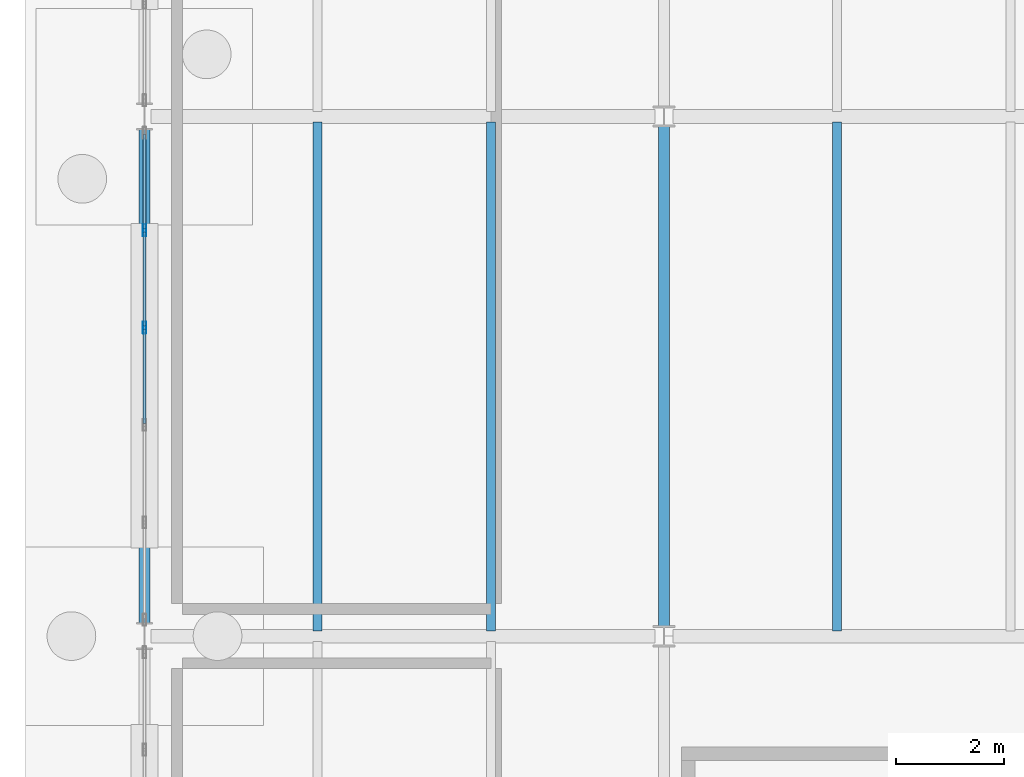
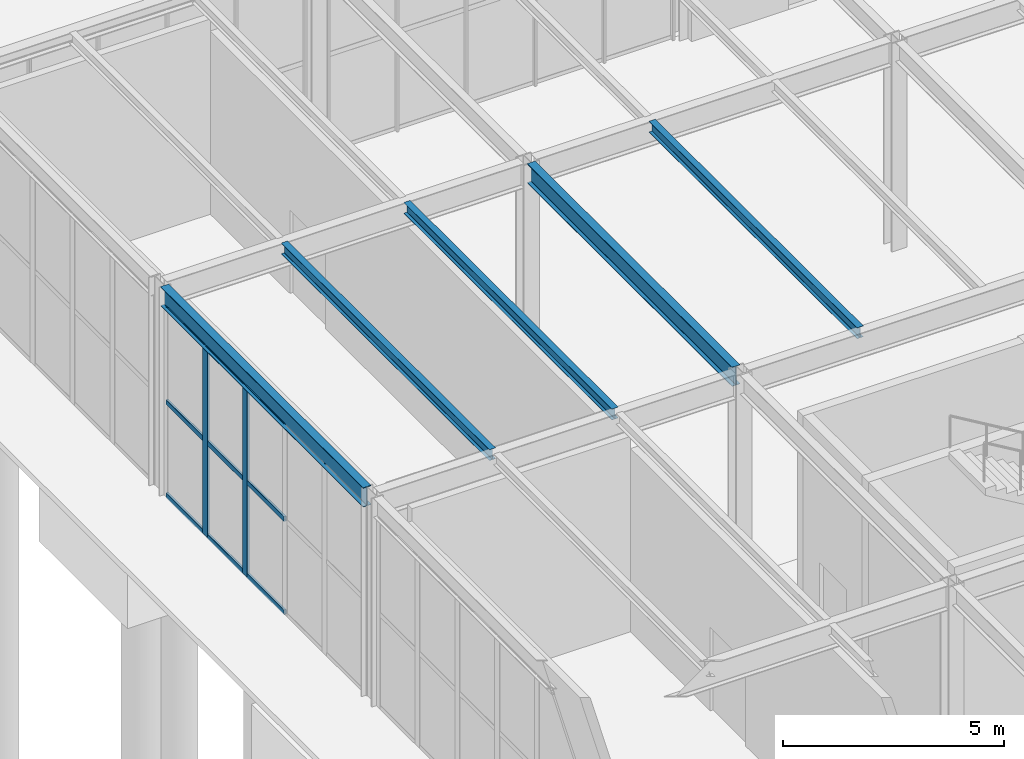
# One storey, part 48 of 142: 11 members, 5 beams, 1 element without a shape of its own.
"""IFC4 building model written with IfcOpenShell, lengths in metres."""

import ifcopenshell
import ifcopenshell.guid

model = None  # the IFC model being written
_history = None  # IfcOwnerHistory: only IFC2X3 demands one
_inside = {}  # id of a spatial element -> (the spatial element, [elements in it])
_under = {}  # id of a project, library or spatial element -> (it, [spatial elements below it])
_declared = {}  # id of a project -> (the project, [libraries it declares])
_typed = {}  # id of a type object -> (the type object, [elements of that type])
_made_of = {}  # id of a material, layer set ... -> (it, [elements and type objects made of it])


def new_model(schema):
    """Start an empty IFC model of exactly this schema.

    Asked for "IFC4X3", IfcOpenShell would pick the latest addendum, in which some entities
    have other attributes; the version numbers below select the first issue.
    IFC2X3 requires an IfcOwnerHistory on every rooted entity: one is made here for all.
    """
    global model, _history
    if schema == "IFC4X3":
        model = ifcopenshell.file(schema_version=(4, 3, 0, 0))
    else:
        model = ifcopenshell.file(schema=schema)
    _inside.clear()
    _under.clear()
    _declared.clear()
    _typed.clear()
    _made_of.clear()
    _history = None
    if model.schema == "IFC2X3":
        org = make("IfcOrganization", Name="unknown")
        user = make(
            "IfcPersonAndOrganization",
            ThePerson=make("IfcPerson", FamilyName="unknown"),
            TheOrganization=org,
        )
        app = make(
            "IfcApplication",
            ApplicationDeveloper=org,
            Version="unknown",
            ApplicationFullName="unknown",
            ApplicationIdentifier="unknown",
        )
        _history = make(
            "IfcOwnerHistory",
            OwningUser=user,
            OwningApplication=app,
            ChangeAction="ADDED",
            CreationDate=0,
        )
    return model


def make(cls, **values):
    """One entity of the class cls with the attributes given. An attribute that is None is left unset."""
    return model.create_entity(
        cls, **{name: value for name, value in values.items() if value is not None}
    )


def rooted(cls, **values):
    """An entity with a GlobalId (a new one), such as an element, a storey or a relation."""
    return make(cls, GlobalId=ifcopenshell.guid.new(), OwnerHistory=_history, **values)


def si_unit(unit_type, name, prefix=None):
    """IfcSIUnit, for example si_unit("LENGTHUNIT", "METRE", prefix="MILLI")."""
    return make("IfcSIUnit", UnitType=unit_type, Prefix=prefix, Name=name)


def assignment(units):
    """IfcUnitAssignment: the units of a project."""
    return None if units is None else make("IfcUnitAssignment", Units=units)


def point(xyz):
    """IfcCartesianPoint."""
    return None if xyz is None else make("IfcCartesianPoint", Coordinates=xyz)


def direction(xyz):
    """IfcDirection."""
    return None if xyz is None else make("IfcDirection", DirectionRatios=xyz)


def frame(location, z_axis=None, x_axis=None):
    """IfcAxis2Placement3D, a coordinate frame: its origin and axes. An axis left out is left unset."""
    return make(
        "IfcAxis2Placement3D",
        Location=point(location),
        Axis=direction(z_axis),
        RefDirection=direction(x_axis),
    )


def frame_2d(location, x_axis=None):
    """IfcAxis2Placement2D, a coordinate frame in the plane: its origin and x axis."""
    return make(
        "IfcAxis2Placement2D", Location=point(location), RefDirection=direction(x_axis)
    )


def origin():
    """The frame at (0, 0, 0) with its axes left unset."""
    return frame((0.0, 0.0, 0.0))


def origin_2d():
    """The frame at (0, 0) in the plane with its x axis left unset."""
    return frame_2d((0.0, 0.0))


def place(relative_to, where):
    """IfcLocalPlacement: puts the frame where relative to a parent placement (None: the world)."""
    return make(
        "IfcLocalPlacement", PlacementRelTo=relative_to, RelativePlacement=where
    )


def context(
    kind, dimensions, precision=None, world=None, true_north=None, identifier=None
):
    """IfcGeometricRepresentationContext, for example the 3D "Model" context."""
    return make(
        "IfcGeometricRepresentationContext",
        ContextIdentifier=identifier,
        ContextType=kind,
        CoordinateSpaceDimension=dimensions,
        Precision=precision,
        WorldCoordinateSystem=world,
        TrueNorth=true_north,
    )


def subcontext(parent, identifier, kind, view, scale=None):
    """IfcGeometricRepresentationSubContext, for example "Body" below "Model"."""
    return make(
        "IfcGeometricRepresentationSubContext",
        ContextIdentifier=identifier,
        ContextType=kind,
        ParentContext=parent,
        TargetScale=scale,
        TargetView=view,
    )


def project(units=None, contexts=None):
    """IfcProject with its units and contexts."""
    return rooted(
        "IfcProject",
        Name="project",
        RepresentationContexts=contexts,
        UnitsInContext=assignment(units),
    )


def spatial(cls, under=None, at=None, **own):
    """A site, building, storey or space (cls), placed at a placement, below another one or the project."""
    s = rooted(cls, ObjectPlacement=at, **own)
    if under is not None:
        _under.setdefault(under.id(), (under, []))[1].append(s)
    return s


def profile(cls, at=None, kind="AREA", **sizes):
    """A parametric profile (cls). Its sizes go by their IFC names, for example OverallWidth=200.0."""
    return make(cls, ProfileType=kind, Position=at, **sizes)


def hollow_rectangle(**sizes):
    """IfcRectangleHollowProfileDef."""
    return profile("IfcRectangleHollowProfileDef", **sizes)


def i_section(**sizes):
    """IfcIShapeProfileDef."""
    return profile("IfcIShapeProfileDef", **sizes)


def extrude(swept, where, along, depth):
    """IfcExtrudedAreaSolid: the profile swept, set in the frame where, extruded along a direction by depth."""
    return make(
        "IfcExtrudedAreaSolid",
        SweptArea=swept,
        Position=where,
        ExtrudedDirection=direction(along),
        Depth=depth,
    )


def shape(context_of_items, identifier, shape_type, items):
    """IfcShapeRepresentation: the items that make up one representation, for example the "Body"."""
    return make(
        "IfcShapeRepresentation",
        ContextOfItems=context_of_items,
        RepresentationIdentifier=identifier,
        RepresentationType=shape_type,
        Items=items,
    )


def material(Name=None, Category=None):
    """IfcMaterial."""
    return make("IfcMaterial", Name=Name, Category=Category)


def material_profile(
    of_material, cross_section, Name=None, Category=None, Priority=None
):
    """IfcMaterialProfile: a cross section and its material."""
    return make(
        "IfcMaterialProfile",
        Name=Name,
        Material=of_material,
        Profile=cross_section,
        Priority=Priority,
        Category=Category,
    )


def profile_set(profiles, Name=None, composite=None):
    """IfcMaterialProfileSet."""
    return make(
        "IfcMaterialProfileSet",
        Name=Name,
        MaterialProfiles=profiles,
        CompositeProfile=composite,
    )


def made_of(thing, what):
    """Note that an element or type object is made of a material, layer set ...; save() writes the relation."""
    if what is not None:
        _made_of.setdefault(what.id(), (what, []))[1].append(thing)
    return thing


def type_object(cls, material=None, **own):
    """A type object (cls), such as IfcWallType, which elements share."""
    return made_of(rooted(cls, **own), material)


def element(
    cls,
    number,
    at=None,
    inside=None,
    cuts=None,
    type_object=None,
    material=None,
    context=None,
    identifier="Body",
    shape_type=None,
    held_by="IfcProductDefinitionShape",
    body=None,
    shapes=None,
    **own,
):
    """One element of the class cls, such as IfcWall. Its Tag is "e" and its number.

    at: its placement. inside: the storey or other place that contains it. cuts: it is an
    opening in that element (IfcRelVoidsElement). A single representation is given by context,
    identifier, shape_type and body (its items); several are given by shapes. held_by: the class
    of the entity that holds the representations. save() writes the other relations.
    """
    e = rooted(cls, Tag="e%d" % number, ObjectPlacement=at, **own)
    if body is not None:
        shapes = [shape(context, identifier, shape_type, body)]
    if shapes is not None:
        e.Representation = make(held_by, Representations=shapes)
    if inside is not None:
        _inside.setdefault(inside.id(), (inside, []))[1].append(e)
    if cuts is not None:
        rooted(
            "IfcRelVoidsElement", RelatingBuildingElement=cuts, RelatedOpeningElement=e
        )
    if type_object is not None:
        _typed.setdefault(type_object.id(), (type_object, []))[1].append(e)
    return made_of(e, material)


def aggregate(whole, parts):
    """IfcRelAggregates: a whole, such as a stair, and the parts it consists of."""
    return rooted("IfcRelAggregates", RelatingObject=whole, RelatedObjects=parts)


def save(model, path):
    """Write the relations noted so far, then the file.

    IfcRelAggregates (storeys below a building ...), IfcRelContainedInSpatialStructure (elements
    in a storey), IfcRelDefinesByType, IfcRelAssociatesMaterial and IfcRelDeclares: one each for
    every whole, place, type object, material and project.
    """
    for whole, parts in _under.values():
        aggregate(whole, parts)
    for where, things in _inside.values():
        rooted(
            "IfcRelContainedInSpatialStructure",
            RelatedElements=things,
            RelatingStructure=where,
        )
    for kind, things in _typed.values():
        rooted("IfcRelDefinesByType", RelatedObjects=things, RelatingType=kind)
    for what, things in _made_of.values():
        rooted("IfcRelAssociatesMaterial", RelatedObjects=things, RelatingMaterial=what)
    for by, libraries in _declared.values():
        rooted("IfcRelDeclares", RelatingContext=by, RelatedDefinitions=libraries)
    model.write(path)


model = new_model("IFC4")

# Units and contexts
model_context = context("Model", 3, precision=1e-05, world=origin(), true_north=direction((0.0, 1.0)))
body_context = subcontext(model_context, "Body", "Model", "MODEL_VIEW")
ifc_project = project(units=[si_unit("LENGTHUNIT", "METRE"), si_unit("AREAUNIT", "SQUARE_METRE"), si_unit("VOLUMEUNIT", "CUBIC_METRE"), si_unit("PLANEANGLEUNIT", "RADIAN"), si_unit("MASSUNIT", "GRAM", prefix="KILO")], contexts=[model_context])

# Site, building, storey
site_placement = place(None, origin())
site = spatial("IfcSite", under=ifc_project, at=site_placement, CompositionType="ELEMENT")
building_placement = place(site_placement, origin())
building = spatial("IfcBuilding", under=site, at=building_placement, Name="Coralgate Yard Interchange", CompositionType="ELEMENT")
storey_placement = place(building_placement, origin())
storey = spatial("IfcBuildingStorey", under=building, at=storey_placement, Name="L00", CompositionType="ELEMENT", Elevation=0.0)

# Beams
ifc_material_1 = material(Name="Structural steel S355J2", Category="steel")
ifc_material_profile_1 = material_profile(ifc_material_1, i_section(OverallWidth=0.209228515625, OverallDepth=0.533203125, WebThickness=0.010009765625, FlangeThickness=0.015625, FilletRadius=0.0126953125, at=origin_2d()), Name="UB 533x210x92")
ifc_profile_set_1 = profile_set([ifc_material_profile_1], Name="Structural steel S355J2")
beam_type_1 = type_object("IfcBeamType", Name="BM-SB-1", PredefinedType="BEAM", material=ifc_profile_set_1)
beam_1_placement = place(storey_placement, frame((0.0, 38.6201171875, 5.4833984375), z_axis=(0.0, 1.0, 0.0), x_axis=(-1.0, 0.0, 0.0)))
element("IfcBeam", 1, at=beam_1_placement, inside=storey, type_object=beam_type_1, Name="L00 primary grid girder X0 Y4-5", PredefinedType="BEAM", context=body_context, shape_type="SweptSolid", body=[
    extrude(i_section(OverallWidth=0.209228515625, OverallDepth=0.533203125, WebThickness=0.010009765625, FlangeThickness=0.015625, FilletRadius=0.0126953125, at=origin_2d()), origin(), (0.0, 0.0, 1.0), 9.159912109375),
])
beam_2_placement = place(storey_placement, frame((9.60009765625, 38.56689453125, 5.4833984375), z_axis=(0.0, 1.0, 0.0), x_axis=(-1.0, 0.0, 0.0)))
element("IfcBeam", 2, at=beam_2_placement, inside=storey, type_object=beam_type_1, Name="L00 primary grid girder X1 Y4-5", PredefinedType="BEAM", context=body_context, shape_type="SweptSolid", body=[
    extrude(i_section(OverallWidth=0.209228515625, OverallDepth=0.533203125, WebThickness=0.010009765625, FlangeThickness=0.015625, FilletRadius=0.0126953125, at=origin_2d()), origin(), (0.0, 0.0, 1.0), 9.266357421875),
])
ifc_material_profile_2 = material_profile(ifc_material_1, i_section(OverallWidth=0.1650390625, OverallDepth=0.303466796875, WebThickness=0.006103515625, FlangeThickness=0.01025390625, FilletRadius=0.0087890625, at=origin_2d()), Name="UB 305x165x40")
ifc_profile_set_2 = profile_set([ifc_material_profile_2], Name="Structural steel S355J2")
beam_type_2 = type_object("IfcBeamType", Name="BM-SJ-1", PredefinedType="JOIST", material=ifc_profile_set_2)
for number, where, z_axis, x_axis, name in (
    (3, (3.199951171875, 38.496826171875, 5.598388671875), (0.0, 1.0, 0.0), (-1.0, 0.0, 0.0), "L00 composite floor joist 0-4-1"),
    (4, (6.39990234375, 38.496826171875, 5.598388671875), (0.0, 1.0, 0.0), (-1.0, 0.0, 0.0), "L00 composite floor joist 0-4-2"),
    (5, (12.800048828125, 38.496826171875, 5.598388671875), (0.0, 1.0, 0.0), (-1.0, 0.0, 0.0), "L00 composite floor joist 1-4-1"),
):
    element("IfcBeam", number, at=place(storey_placement, frame(where, z_axis=z_axis, x_axis=x_axis)), inside=storey, type_object=beam_type_2, Name=name, PredefinedType="JOIST", context=body_context, shape_type="SweptSolid", body=[
        extrude(i_section(OverallWidth=0.1650390625, OverallDepth=0.303466796875, WebThickness=0.006103515625, FlangeThickness=0.01025390625, FilletRadius=0.0087890625, at=origin_2d()), origin(), (0.0, 0.0, 1.0), 9.40625),
    ])

# Curtain wall, members
ifc_material_2 = material(Name="Anodised coastal aluminium and solar-control low-E glass", Category="aluminium")
curtain_wall_type = type_object("IfcCurtainWallType", Name="CW-CW-L00-B", PredefinedType="NOTDEFINED", material=ifc_material_2)
curtain_wall_placement = place(storey_placement, origin())
curtain_wall = element("IfcCurtainWall", 6, at=curtain_wall_placement, inside=storey, type_object=curtain_wall_type, Name="L00 unitised curtain wall CW-L00-W-00-04", PredefinedType="NOTDEFINED")
ifc_material_3 = material(Name="Anodised coastal aluminium 6063-T6", Category="aluminium")
ifc_material_profile_3 = material_profile(ifc_material_3, hollow_rectangle(XDim=0.06005859375, YDim=0.219970703125, WallThickness=0.00390625, InnerFilletRadius=0.00390625, OuterFilletRadius=0.008056640625, at=origin_2d()), Name="ALU 60x220x4")
ifc_profile_set_3 = profile_set([ifc_material_profile_3], Name="Anodised coastal aluminium 6063-T6")
member_type_1 = type_object("IfcMemberType", Name="MB-MUL-220", PredefinedType="MULLION", material=ifc_profile_set_3)
member_1_placement = place(storey_placement, frame((0.0, 44.10009765625, 0.0), z_axis=(0.0, 0.0, 1.0), x_axis=(1.0, 0.0, 0.0)))
member_1 = element("IfcMember", 7, at=member_1_placement, type_object=member_type_1, Name="CW-L00-W-00-04 vertical mullion 4", PredefinedType="MULLION", context=body_context, shape_type="SweptSolid", body=[
    extrude(hollow_rectangle(XDim=0.06005859375, YDim=0.219970703125, WallThickness=0.00390625, InnerFilletRadius=0.00390625, OuterFilletRadius=0.008056640625, at=origin_2d()), origin(), (0.0, 0.0, 1.0), 5.216796875),
])
member_2_placement = place(storey_placement, frame((0.0, 45.89990234375, 0.0), z_axis=(0.0, 0.0, 1.0), x_axis=(1.0, 0.0, 0.0)))
member_2 = element("IfcMember", 8, at=member_2_placement, type_object=member_type_1, Name="CW-L00-W-00-04 vertical mullion 5", PredefinedType="MULLION", context=body_context, shape_type="SweptSolid", body=[
    extrude(hollow_rectangle(XDim=0.06005859375, YDim=0.219970703125, WallThickness=0.00390625, InnerFilletRadius=0.00390625, OuterFilletRadius=0.008056640625, at=origin_2d()), origin(), (0.0, 0.0, 1.0), 5.216796875),
])
ifc_material_profile_4 = material_profile(ifc_material_3, hollow_rectangle(XDim=0.06005859375, YDim=0.139892578125, WallThickness=0.00341796875, InnerFilletRadius=0.00341796875, OuterFilletRadius=0.007080078125, at=origin_2d()), Name="ALU 60x140x3.5")
ifc_profile_set_4 = profile_set([ifc_material_profile_4], Name="Anodised coastal aluminium 6063-T6")
member_type_2 = type_object("IfcMemberType", Name="MB-TRN-140", PredefinedType="USERDEFINED", material=ifc_profile_set_4)
member_3_placement = place(storey_placement, frame((0.0, 42.330078125, 0.034912109375), z_axis=(0.0, 1.0, 0.0), x_axis=(-1.0, 0.0, 0.0)))
member_3 = element("IfcMember", 9, at=member_3_placement, type_object=member_type_2, Name="CW-L00-W-00-04 horizontal transom 3-1", ObjectType="TRANSOM", PredefinedType="USERDEFINED", context=body_context, shape_type="SweptSolid", body=[
    extrude(hollow_rectangle(XDim=0.06005859375, YDim=0.139892578125, WallThickness=0.00341796875, InnerFilletRadius=0.00341796875, OuterFilletRadius=0.007080078125, at=origin_2d()), origin(), (0.0, 0.0, 1.0), 1.739990234375),
])
member_4_placement = place(storey_placement, frame((0.0, 42.330078125, 2.6083984375), z_axis=(0.0, 1.0, 0.0), x_axis=(-1.0, 0.0, 0.0)))
member_4 = element("IfcMember", 10, at=member_4_placement, type_object=member_type_2, Name="CW-L00-W-00-04 horizontal transom 3-2", ObjectType="TRANSOM", PredefinedType="USERDEFINED", context=body_context, shape_type="SweptSolid", body=[
    extrude(hollow_rectangle(XDim=0.06005859375, YDim=0.139892578125, WallThickness=0.00341796875, InnerFilletRadius=0.00341796875, OuterFilletRadius=0.007080078125, at=origin_2d()), origin(), (0.0, 0.0, 1.0), 1.739990234375),
])
member_5_placement = place(storey_placement, frame((0.0, 42.330078125, 5.181884765625), z_axis=(0.0, 1.0, 0.0), x_axis=(-1.0, 0.0, 0.0)))
member_5 = element("IfcMember", 11, at=member_5_placement, type_object=member_type_2, Name="CW-L00-W-00-04 horizontal transom 3-3", ObjectType="TRANSOM", PredefinedType="USERDEFINED", context=body_context, shape_type="SweptSolid", body=[
    extrude(hollow_rectangle(XDim=0.06005859375, YDim=0.139892578125, WallThickness=0.00341796875, InnerFilletRadius=0.00341796875, OuterFilletRadius=0.007080078125, at=origin_2d()), origin(), (0.0, 0.0, 1.0), 1.739990234375),
])
member_6_placement = place(storey_placement, frame((0.0, 44.1298828125, 0.034912109375), z_axis=(0.0, 1.0, 0.0), x_axis=(-1.0, 0.0, 0.0)))
member_6 = element("IfcMember", 12, at=member_6_placement, type_object=member_type_2, Name="CW-L00-W-00-04 horizontal transom 4-1", ObjectType="TRANSOM", PredefinedType="USERDEFINED", context=body_context, shape_type="SweptSolid", body=[
    extrude(hollow_rectangle(XDim=0.06005859375, YDim=0.139892578125, WallThickness=0.00341796875, InnerFilletRadius=0.00341796875, OuterFilletRadius=0.007080078125, at=origin_2d()), origin(), (0.0, 0.0, 1.0), 1.740234375),
])
member_7_placement = place(storey_placement, frame((0.0, 44.1298828125, 2.6083984375), z_axis=(0.0, 1.0, 0.0), x_axis=(-1.0, 0.0, 0.0)))
member_7 = element("IfcMember", 13, at=member_7_placement, type_object=member_type_2, Name="CW-L00-W-00-04 horizontal transom 4-2", ObjectType="TRANSOM", PredefinedType="USERDEFINED", context=body_context, shape_type="SweptSolid", body=[
    extrude(hollow_rectangle(XDim=0.06005859375, YDim=0.139892578125, WallThickness=0.00341796875, InnerFilletRadius=0.00341796875, OuterFilletRadius=0.007080078125, at=origin_2d()), origin(), (0.0, 0.0, 1.0), 1.740234375),
])
member_8_placement = place(storey_placement, frame((0.0, 44.1298828125, 5.181884765625), z_axis=(0.0, 1.0, 0.0), x_axis=(-1.0, 0.0, 0.0)))
member_8 = element("IfcMember", 14, at=member_8_placement, type_object=member_type_2, Name="CW-L00-W-00-04 horizontal transom 4-3", ObjectType="TRANSOM", PredefinedType="USERDEFINED", context=body_context, shape_type="SweptSolid", body=[
    extrude(hollow_rectangle(XDim=0.06005859375, YDim=0.139892578125, WallThickness=0.00341796875, InnerFilletRadius=0.00341796875, OuterFilletRadius=0.007080078125, at=origin_2d()), origin(), (0.0, 0.0, 1.0), 1.740234375),
])
member_9_placement = place(storey_placement, frame((0.0, 45.929931640625, 0.034912109375), z_axis=(0.0, 1.0, 0.0), x_axis=(-1.0, 0.0, 0.0)))
member_9 = element("IfcMember", 15, at=member_9_placement, type_object=member_type_2, Name="CW-L00-W-00-04 horizontal transom 5-1", ObjectType="TRANSOM", PredefinedType="USERDEFINED", context=body_context, shape_type="SweptSolid", body=[
    extrude(hollow_rectangle(XDim=0.06005859375, YDim=0.139892578125, WallThickness=0.00341796875, InnerFilletRadius=0.00341796875, OuterFilletRadius=0.007080078125, at=origin_2d()), origin(), (0.0, 0.0, 1.0), 1.739990234375),
])
member_10_placement = place(storey_placement, frame((0.0, 45.929931640625, 2.6083984375), z_axis=(0.0, 1.0, 0.0), x_axis=(-1.0, 0.0, 0.0)))
member_10 = element("IfcMember", 16, at=member_10_placement, type_object=member_type_2, Name="CW-L00-W-00-04 horizontal transom 5-2", ObjectType="TRANSOM", PredefinedType="USERDEFINED", context=body_context, shape_type="SweptSolid", body=[
    extrude(hollow_rectangle(XDim=0.06005859375, YDim=0.139892578125, WallThickness=0.00341796875, InnerFilletRadius=0.00341796875, OuterFilletRadius=0.007080078125, at=origin_2d()), origin(), (0.0, 0.0, 1.0), 1.739990234375),
])
member_11_placement = place(storey_placement, frame((0.0, 45.929931640625, 5.181884765625), z_axis=(0.0, 1.0, 0.0), x_axis=(-1.0, 0.0, 0.0)))
member_11 = element("IfcMember", 17, at=member_11_placement, type_object=member_type_2, Name="CW-L00-W-00-04 horizontal transom 5-3", ObjectType="TRANSOM", PredefinedType="USERDEFINED", context=body_context, shape_type="SweptSolid", body=[
    extrude(hollow_rectangle(XDim=0.06005859375, YDim=0.139892578125, WallThickness=0.00341796875, InnerFilletRadius=0.00341796875, OuterFilletRadius=0.007080078125, at=origin_2d()), origin(), (0.0, 0.0, 1.0), 1.739990234375),
])
aggregate(curtain_wall, [member_1, member_2, member_3, member_4, member_5, member_6, member_7, member_8, member_9, member_10, member_11])

save(model, "model.ifc")
